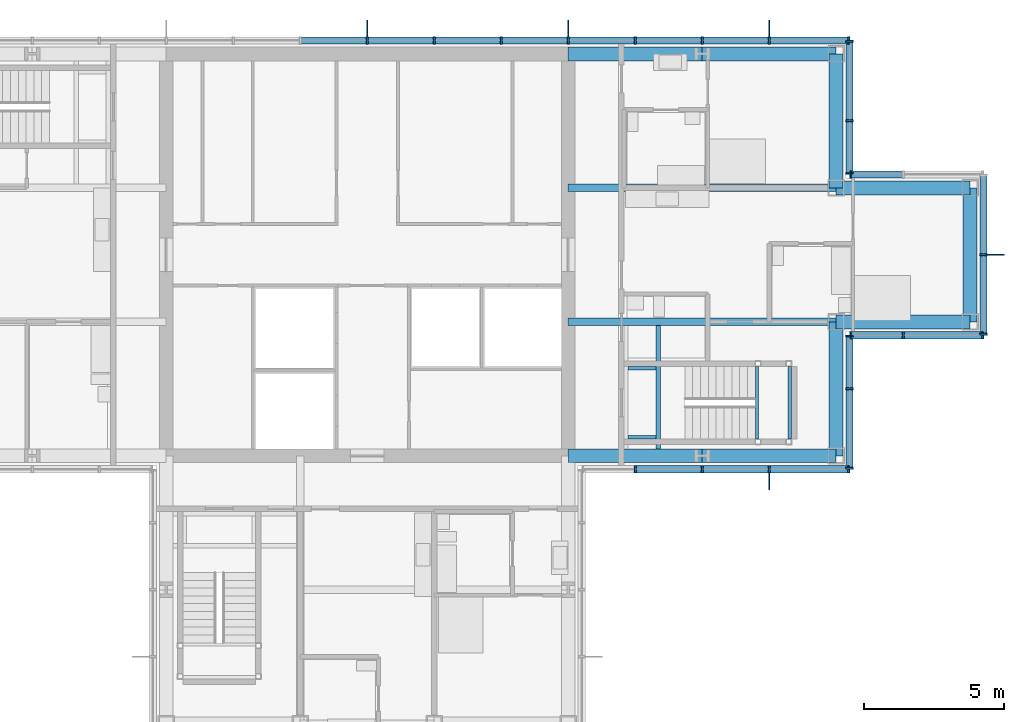
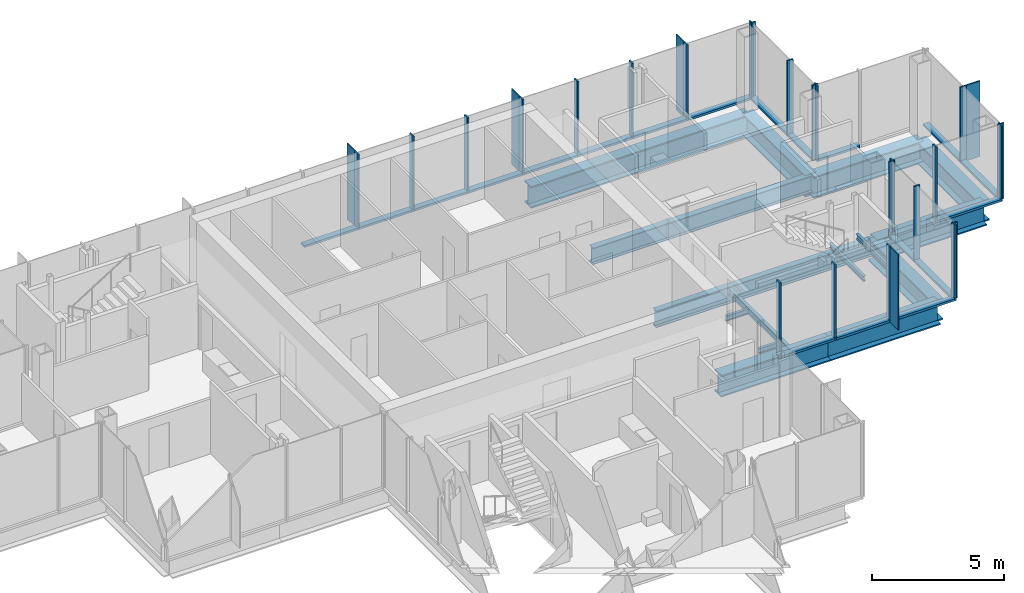
# One storey, part 7 of 15: 49 members, 16 beams, 7 elements without a shape of their own.
"""IFC4 building model written with IfcOpenShell, lengths in metres."""

from ifc_helpers import new_model, si_unit, direction, frame, origin, origin_2d, place, context, subcontext, project, spatial, rectangle, i_section, extrude, material, material_profile, profile_set, type_object, element, aggregate, save


model = new_model("IFC4")

# Units and contexts
model_context = context("Model", 3, precision=1e-05, world=origin(), true_north=direction((0.0, 1.0)))
body_context = subcontext(model_context, "Body", "Model", "MODEL_VIEW")
ifc_project = project(units=[si_unit("LENGTHUNIT", "METRE"), si_unit("AREAUNIT", "SQUARE_METRE"), si_unit("VOLUMEUNIT", "CUBIC_METRE"), si_unit("PLANEANGLEUNIT", "RADIAN"), si_unit("MASSUNIT", "GRAM", prefix="KILO")], contexts=[model_context])

# Site, building, storey
site_placement = place(None, origin())
site = spatial("IfcSite", under=ifc_project, at=site_placement, CompositionType="ELEMENT")
building_placement = place(site_placement, origin())
building = spatial("IfcBuilding", under=site, at=building_placement, Name="Kvirike Care Tower", CompositionType="ELEMENT")
storey_placement = place(building_placement, frame((0.0, 0.0, 219.0)))
storey = spatial("IfcBuildingStorey", under=building, at=storey_placement, Name="L60", CompositionType="ELEMENT", Elevation=219.0)

# Curtain wall, member
ifc_material_1 = material(Name="Anodised aluminium stick system", Category="aluminium")
curtain_wall_type = type_object("IfcCurtainWallType", Name="CW-D STICK CURTAIN WALL", PredefinedType="NOTDEFINED", material=ifc_material_1)
curtain_wall_1_placement = place(storey_placement, origin())
curtain_wall_1 = element("IfcCurtainWall", 1, at=curtain_wall_1_placement, inside=storey, type_object=curtain_wall_type, Name="Curtain wall L60 face 1", PredefinedType="NOTDEFINED")
ifc_material_2 = material(Name="Bronze anodised aluminium fin", Category="aluminium")
ifc_material_profile_1 = material_profile(ifc_material_2, rectangle(XDim=0.050048828125, YDim=0.60009765625, at=origin_2d()), Name="BRONZE FIN 600")
ifc_profile_set_1 = profile_set([ifc_material_profile_1], Name="Bronze anodised aluminium fin")
member_type_1 = type_object("IfcMemberType", Name="BRONZE FIN 600", PredefinedType="USERDEFINED", material=ifc_profile_set_1)
member_1_placement = place(storey_placement, frame((36.0, 27.889892578125, 0.0), z_axis=(0.0, 0.0, 1.0), x_axis=(1.0, 0.0, 0.0)))
member_1 = element("IfcMember", 2, at=member_1_placement, type_object=member_type_1, Name="Bronze fin L60 face 1.4", ObjectType="FIN", PredefinedType="USERDEFINED", context=body_context, shape_type="SweptSolid", body=[
    extrude(rectangle(XDim=0.050048828125, YDim=0.60009765625, at=origin_2d()), origin(), (0.0, 0.0, 1.0), 3.5),
])

curtain_wall_2_placement = place(storey_placement, origin())
curtain_wall_2 = element("IfcCurtainWall", 3, at=curtain_wall_2_placement, inside=storey, type_object=curtain_wall_type, Name="Curtain wall L60 face 4", PredefinedType="NOTDEFINED")
member_2_placement = place(storey_placement, frame((44.110107421875, 36.0, 0.0), z_axis=(0.0, 0.0, 1.0), x_axis=(0.0, 1.0, 0.0)))
member_2 = element("IfcMember", 4, at=member_2_placement, type_object=member_type_1, Name="Bronze fin L60 face 4.2", ObjectType="FIN", PredefinedType="USERDEFINED", context=body_context, shape_type="SweptSolid", body=[
    extrude(rectangle(XDim=0.050048828125, YDim=0.60009765625, at=origin_2d()), origin(), (0.0, 0.0, 1.0), 3.5),
])

# Curtain wall, members
curtain_wall_3_placement = place(storey_placement, origin())
curtain_wall_3 = element("IfcCurtainWall", 5, at=curtain_wall_3_placement, inside=storey, type_object=curtain_wall_type, Name="Curtain wall L60 face 7", PredefinedType="NOTDEFINED")
member_3_placement = place(storey_placement, frame((36.0, 44.110107421875, 0.0), z_axis=(0.0, 0.0, 1.0), x_axis=(-1.0, 0.0, 0.0)))
member_3 = element("IfcMember", 6, at=member_3_placement, type_object=member_type_1, Name="Bronze fin L60 face 7.2", ObjectType="FIN", PredefinedType="USERDEFINED", context=body_context, shape_type="SweptSolid", body=[
    extrude(rectangle(XDim=0.050048828125, YDim=0.60009765625, at=origin_2d()), origin(), (0.0, 0.0, 1.0), 3.5),
])
member_4_placement = place(storey_placement, frame((28.800048828125, 44.110107421875, 0.0), z_axis=(0.0, 0.0, 1.0), x_axis=(-1.0, 0.0, 0.0)))
member_4 = element("IfcMember", 7, at=member_4_placement, type_object=member_type_1, Name="Bronze fin L60 face 7.5", ObjectType="FIN", PredefinedType="USERDEFINED", context=body_context, shape_type="SweptSolid", body=[
    extrude(rectangle(XDim=0.050048828125, YDim=0.60009765625, at=origin_2d()), origin(), (0.0, 0.0, 1.0), 3.5),
])
member_5_placement = place(storey_placement, frame((21.60009765625, 44.110107421875, 0.0), z_axis=(0.0, 0.0, 1.0), x_axis=(-1.0, 0.0, 0.0)))
member_5 = element("IfcMember", 8, at=member_5_placement, type_object=member_type_1, Name="Bronze fin L60 face 7.8", ObjectType="FIN", PredefinedType="USERDEFINED", context=body_context, shape_type="SweptSolid", body=[
    extrude(rectangle(XDim=0.050048828125, YDim=0.60009765625, at=origin_2d()), origin(), (0.0, 0.0, 1.0), 3.5),
])

# Member
ifc_material_3 = material(Name="Bronze anodised aluminium mullion", Category="aluminium")
ifc_material_profile_2 = material_profile(ifc_material_3, rectangle(XDim=0.06494140625, YDim=0.260009765625, at=origin_2d()), Name="CW-D MULLION 65x260")
ifc_profile_set_2 = profile_set([ifc_material_profile_2], Name="Bronze anodised aluminium mullion")
member_type_2 = type_object("IfcMemberType", Name="CW-D MULLION 65x260", PredefinedType="MULLION", material=ifc_profile_set_2)
member_6_placement = place(storey_placement, frame((31.199951171875, 28.320068359375, 0.0), z_axis=(0.0, 0.0, 1.0), x_axis=(1.0, 0.0, 0.0)))
member_6 = element("IfcMember", 9, at=member_6_placement, type_object=member_type_2, Name="CW-D mullion L60 face 1.2", PredefinedType="MULLION", context=body_context, shape_type="SweptSolid", body=[
    extrude(rectangle(XDim=0.06494140625, YDim=0.260009765625, at=origin_2d()), origin(), (0.0, 0.0, 1.0), 3.5),
])

member_7_placement = place(storey_placement, frame((33.60009765625, 28.320068359375, 0.0), z_axis=(0.0, 0.0, 1.0), x_axis=(1.0, 0.0, 0.0)))
member_7 = element("IfcMember", 10, at=member_7_placement, type_object=member_type_2, Name="CW-D mullion L60 face 1.3", PredefinedType="MULLION", context=body_context, shape_type="SweptSolid", body=[
    extrude(rectangle(XDim=0.06494140625, YDim=0.260009765625, at=origin_2d()), origin(), (0.0, 0.0, 1.0), 3.5),
])

member_8_placement = place(storey_placement, frame((36.0, 28.320068359375, 0.0), z_axis=(0.0, 0.0, 1.0), x_axis=(1.0, 0.0, 0.0)))
member_8 = element("IfcMember", 11, at=member_8_placement, type_object=member_type_2, Name="CW-D mullion L60 face 1.4", PredefinedType="MULLION", context=body_context, shape_type="SweptSolid", body=[
    extrude(rectangle(XDim=0.06494140625, YDim=0.260009765625, at=origin_2d()), origin(), (0.0, 0.0, 1.0), 3.5),
])

member_9_placement = place(storey_placement, frame((38.847412109375, 28.320068359375, 0.0), z_axis=(0.0, 0.0, 1.0), x_axis=(1.0, 0.0, 0.0)))
member_9 = element("IfcMember", 12, at=member_9_placement, type_object=member_type_2, Name="CW-D mullion L60 face 1.5", PredefinedType="MULLION", context=body_context, shape_type="SweptSolid", body=[
    extrude(rectangle(XDim=0.06494140625, YDim=0.260009765625, at=origin_2d()), origin(), (0.0, 0.0, 1.0), 3.5),
])

# Curtain wall, members
curtain_wall_4_placement = place(storey_placement, origin())
curtain_wall_4 = element("IfcCurtainWall", 13, at=curtain_wall_4_placement, inside=storey, type_object=curtain_wall_type, Name="Curtain wall L60 face 2", PredefinedType="NOTDEFINED")
member_10_placement = place(storey_placement, frame((38.8798828125, 28.3525390625, 0.0), z_axis=(0.0, 0.0, 1.0), x_axis=(0.0, 1.0, 0.0)))
member_10 = element("IfcMember", 14, at=member_10_placement, type_object=member_type_2, Name="CW-D mullion L60 face 2.1", PredefinedType="MULLION", context=body_context, shape_type="SweptSolid", body=[
    extrude(rectangle(XDim=0.06494140625, YDim=0.260009765625, at=origin_2d()), origin(), (0.0, 0.0, 1.0), 3.5),
])
member_11_placement = place(storey_placement, frame((38.8798828125, 31.199951171875, 0.0), z_axis=(0.0, 0.0, 1.0), x_axis=(0.0, 1.0, 0.0)))
member_11 = element("IfcMember", 15, at=member_11_placement, type_object=member_type_2, Name="CW-D mullion L60 face 2.2", PredefinedType="MULLION", context=body_context, shape_type="SweptSolid", body=[
    extrude(rectangle(XDim=0.06494140625, YDim=0.260009765625, at=origin_2d()), origin(), (0.0, 0.0, 1.0), 3.5),
])
member_12_placement = place(storey_placement, frame((38.8798828125, 33.08740234375, 0.0), z_axis=(0.0, 0.0, 1.0), x_axis=(0.0, 1.0, 0.0)))
member_12 = element("IfcMember", 16, at=member_12_placement, type_object=member_type_2, Name="CW-D mullion L60 face 2.3", PredefinedType="MULLION", context=body_context, shape_type="SweptSolid", body=[
    extrude(rectangle(XDim=0.06494140625, YDim=0.260009765625, at=origin_2d()), origin(), (0.0, 0.0, 1.0), 3.5),
])

curtain_wall_5_placement = place(storey_placement, origin())
curtain_wall_5 = element("IfcCurtainWall", 17, at=curtain_wall_5_placement, inside=storey, type_object=curtain_wall_type, Name="Curtain wall L60 face 3", PredefinedType="NOTDEFINED")
member_13_placement = place(storey_placement, frame((38.91259765625, 33.1201171875, 0.0), z_axis=(0.0, 0.0, 1.0), x_axis=(1.0, 0.0, 0.0)))
member_13 = element("IfcMember", 18, at=member_13_placement, type_object=member_type_2, Name="CW-D mullion L60 face 3.1", PredefinedType="MULLION", context=body_context, shape_type="SweptSolid", body=[
    extrude(rectangle(XDim=0.06494140625, YDim=0.260009765625, at=origin_2d()), origin(), (0.0, 0.0, 1.0), 3.5),
])
member_14_placement = place(storey_placement, frame((40.800048828125, 33.1201171875, 0.0), z_axis=(0.0, 0.0, 1.0), x_axis=(1.0, 0.0, 0.0)))
member_14 = element("IfcMember", 19, at=member_14_placement, type_object=member_type_2, Name="CW-D mullion L60 face 3.2", PredefinedType="MULLION", context=body_context, shape_type="SweptSolid", body=[
    extrude(rectangle(XDim=0.06494140625, YDim=0.260009765625, at=origin_2d()), origin(), (0.0, 0.0, 1.0), 3.5),
])
member_15_placement = place(storey_placement, frame((43.6474609375, 33.1201171875, 0.0), z_axis=(0.0, 0.0, 1.0), x_axis=(1.0, 0.0, 0.0)))
member_15 = element("IfcMember", 20, at=member_15_placement, type_object=member_type_2, Name="CW-D mullion L60 face 3.3", PredefinedType="MULLION", context=body_context, shape_type="SweptSolid", body=[
    extrude(rectangle(XDim=0.06494140625, YDim=0.260009765625, at=origin_2d()), origin(), (0.0, 0.0, 1.0), 3.5),
])

# Member
member_16_placement = place(storey_placement, frame((43.679931640625, 33.152587890625, 0.0), z_axis=(0.0, 0.0, 1.0), x_axis=(0.0, 1.0, 0.0)))
member_16 = element("IfcMember", 21, at=member_16_placement, type_object=member_type_2, Name="CW-D mullion L60 face 4.1", PredefinedType="MULLION", context=body_context, shape_type="SweptSolid", body=[
    extrude(rectangle(XDim=0.06494140625, YDim=0.260009765625, at=origin_2d()), origin(), (0.0, 0.0, 1.0), 3.5),
])

member_17_placement = place(storey_placement, frame((43.679931640625, 36.0, 0.0), z_axis=(0.0, 0.0, 1.0), x_axis=(0.0, 1.0, 0.0)))
member_17 = element("IfcMember", 22, at=member_17_placement, type_object=member_type_2, Name="CW-D mullion L60 face 4.2", PredefinedType="MULLION", context=body_context, shape_type="SweptSolid", body=[
    extrude(rectangle(XDim=0.06494140625, YDim=0.260009765625, at=origin_2d()), origin(), (0.0, 0.0, 1.0), 3.5),
])

# Curtain wall, member
curtain_wall_6_placement = place(storey_placement, origin())
curtain_wall_6 = element("IfcCurtainWall", 23, at=curtain_wall_6_placement, inside=storey, type_object=curtain_wall_type, Name="Curtain wall L60 face 5", PredefinedType="NOTDEFINED")
member_18_placement = place(storey_placement, frame((38.91259765625, 38.8798828125, 0.0), z_axis=(0.0, 0.0, 1.0), x_axis=(-1.0, 0.0, 0.0)))
member_18 = element("IfcMember", 24, at=member_18_placement, type_object=member_type_2, Name="CW-D mullion L60 face 5.3", PredefinedType="MULLION", context=body_context, shape_type="SweptSolid", body=[
    extrude(rectangle(XDim=0.06494140625, YDim=0.260009765625, at=origin_2d()), origin(), (0.0, 0.0, 1.0), 3.5),
])

# Curtain wall, members
curtain_wall_7_placement = place(storey_placement, origin())
curtain_wall_7 = element("IfcCurtainWall", 25, at=curtain_wall_7_placement, inside=storey, type_object=curtain_wall_type, Name="Curtain wall L60 face 6", PredefinedType="NOTDEFINED")
member_19_placement = place(storey_placement, frame((38.8798828125, 38.91259765625, 0.0), z_axis=(0.0, 0.0, 1.0), x_axis=(0.0, 1.0, 0.0)))
member_19 = element("IfcMember", 26, at=member_19_placement, type_object=member_type_2, Name="CW-D mullion L60 face 6.1", PredefinedType="MULLION", context=body_context, shape_type="SweptSolid", body=[
    extrude(rectangle(XDim=0.06494140625, YDim=0.260009765625, at=origin_2d()), origin(), (0.0, 0.0, 1.0), 3.5),
])
member_20_placement = place(storey_placement, frame((38.8798828125, 40.800048828125, 0.0), z_axis=(0.0, 0.0, 1.0), x_axis=(0.0, 1.0, 0.0)))
member_20 = element("IfcMember", 27, at=member_20_placement, type_object=member_type_2, Name="CW-D mullion L60 face 6.2", PredefinedType="MULLION", context=body_context, shape_type="SweptSolid", body=[
    extrude(rectangle(XDim=0.06494140625, YDim=0.260009765625, at=origin_2d()), origin(), (0.0, 0.0, 1.0), 3.5),
])
member_21_placement = place(storey_placement, frame((38.8798828125, 43.6474609375, 0.0), z_axis=(0.0, 0.0, 1.0), x_axis=(0.0, 1.0, 0.0)))
member_21 = element("IfcMember", 28, at=member_21_placement, type_object=member_type_2, Name="CW-D mullion L60 face 6.3", PredefinedType="MULLION", context=body_context, shape_type="SweptSolid", body=[
    extrude(rectangle(XDim=0.06494140625, YDim=0.260009765625, at=origin_2d()), origin(), (0.0, 0.0, 1.0), 3.5),
])

# Member
member_22_placement = place(storey_placement, frame((38.847412109375, 43.679931640625, 0.0), z_axis=(0.0, 0.0, 1.0), x_axis=(-1.0, 0.0, 0.0)))
member_22 = element("IfcMember", 29, at=member_22_placement, type_object=member_type_2, Name="CW-D mullion L60 face 7.1", PredefinedType="MULLION", context=body_context, shape_type="SweptSolid", body=[
    extrude(rectangle(XDim=0.06494140625, YDim=0.260009765625, at=origin_2d()), origin(), (0.0, 0.0, 1.0), 3.5),
])

member_23_placement = place(storey_placement, frame((36.0, 43.679931640625, 0.0), z_axis=(0.0, 0.0, 1.0), x_axis=(-1.0, 0.0, 0.0)))
member_23 = element("IfcMember", 30, at=member_23_placement, type_object=member_type_2, Name="CW-D mullion L60 face 7.2", PredefinedType="MULLION", context=body_context, shape_type="SweptSolid", body=[
    extrude(rectangle(XDim=0.06494140625, YDim=0.260009765625, at=origin_2d()), origin(), (0.0, 0.0, 1.0), 3.5),
])

member_24_placement = place(storey_placement, frame((33.60009765625, 43.679931640625, 0.0), z_axis=(0.0, 0.0, 1.0), x_axis=(-1.0, 0.0, 0.0)))
member_24 = element("IfcMember", 31, at=member_24_placement, type_object=member_type_2, Name="CW-D mullion L60 face 7.3", PredefinedType="MULLION", context=body_context, shape_type="SweptSolid", body=[
    extrude(rectangle(XDim=0.06494140625, YDim=0.260009765625, at=origin_2d()), origin(), (0.0, 0.0, 1.0), 3.5),
])

member_25_placement = place(storey_placement, frame((31.199951171875, 43.679931640625, 0.0), z_axis=(0.0, 0.0, 1.0), x_axis=(-1.0, 0.0, 0.0)))
member_25 = element("IfcMember", 32, at=member_25_placement, type_object=member_type_2, Name="CW-D mullion L60 face 7.4", PredefinedType="MULLION", context=body_context, shape_type="SweptSolid", body=[
    extrude(rectangle(XDim=0.06494140625, YDim=0.260009765625, at=origin_2d()), origin(), (0.0, 0.0, 1.0), 3.5),
])

member_26_placement = place(storey_placement, frame((28.800048828125, 43.679931640625, 0.0), z_axis=(0.0, 0.0, 1.0), x_axis=(-1.0, 0.0, 0.0)))
member_26 = element("IfcMember", 33, at=member_26_placement, type_object=member_type_2, Name="CW-D mullion L60 face 7.5", PredefinedType="MULLION", context=body_context, shape_type="SweptSolid", body=[
    extrude(rectangle(XDim=0.06494140625, YDim=0.260009765625, at=origin_2d()), origin(), (0.0, 0.0, 1.0), 3.5),
])

member_27_placement = place(storey_placement, frame((26.39990234375, 43.679931640625, 0.0), z_axis=(0.0, 0.0, 1.0), x_axis=(-1.0, 0.0, 0.0)))
member_27 = element("IfcMember", 34, at=member_27_placement, type_object=member_type_2, Name="CW-D mullion L60 face 7.6", PredefinedType="MULLION", context=body_context, shape_type="SweptSolid", body=[
    extrude(rectangle(XDim=0.06494140625, YDim=0.260009765625, at=origin_2d()), origin(), (0.0, 0.0, 1.0), 3.5),
])

member_28_placement = place(storey_placement, frame((24.0, 43.679931640625, 0.0), z_axis=(0.0, 0.0, 1.0), x_axis=(-1.0, 0.0, 0.0)))
member_28 = element("IfcMember", 35, at=member_28_placement, type_object=member_type_2, Name="CW-D mullion L60 face 7.7", PredefinedType="MULLION", context=body_context, shape_type="SweptSolid", body=[
    extrude(rectangle(XDim=0.06494140625, YDim=0.260009765625, at=origin_2d()), origin(), (0.0, 0.0, 1.0), 3.5),
])

member_29_placement = place(storey_placement, frame((21.60009765625, 43.679931640625, 0.0), z_axis=(0.0, 0.0, 1.0), x_axis=(-1.0, 0.0, 0.0)))
member_29 = element("IfcMember", 36, at=member_29_placement, type_object=member_type_2, Name="CW-D mullion L60 face 7.8", PredefinedType="MULLION", context=body_context, shape_type="SweptSolid", body=[
    extrude(rectangle(XDim=0.06494140625, YDim=0.260009765625, at=origin_2d()), origin(), (0.0, 0.0, 1.0), 3.5),
])

ifc_material_4 = material(Name="Bronze anodised aluminium transom", Category="aluminium")
ifc_material_profile_3 = material_profile(ifc_material_4, rectangle(XDim=0.260009765625, YDim=0.10009765625, at=origin_2d()), Name="CW-D TRANSOM 260x100")
ifc_profile_set_3 = profile_set([ifc_material_profile_3], Name="Bronze anodised aluminium transom")
member_type_3 = type_object("IfcMemberType", Name="CW-D TRANSOM 260x100", PredefinedType="USERDEFINED", material=ifc_profile_set_3)
member_30_placement = place(storey_placement, frame((31.232421875, 28.320068359375, 0.050048828125), z_axis=(1.0, 0.0, 0.0), x_axis=(0.0, 1.0, 0.0)))
member_30 = element("IfcMember", 37, at=member_30_placement, type_object=member_type_3, Name="CW-D sill transom L60 face 1.2", ObjectType="TRANSOM", PredefinedType="USERDEFINED", context=body_context, shape_type="SweptSolid", body=[
    extrude(rectangle(XDim=0.260009765625, YDim=0.10009765625, at=origin_2d()), origin(), (0.0, 0.0, 1.0), 2.3349609375),
])

member_31_placement = place(storey_placement, frame((33.632568359375, 28.320068359375, 0.050048828125), z_axis=(1.0, 0.0, 0.0), x_axis=(0.0, 1.0, 0.0)))
member_31 = element("IfcMember", 38, at=member_31_placement, type_object=member_type_3, Name="CW-D sill transom L60 face 1.3", ObjectType="TRANSOM", PredefinedType="USERDEFINED", context=body_context, shape_type="SweptSolid", body=[
    extrude(rectangle(XDim=0.260009765625, YDim=0.10009765625, at=origin_2d()), origin(), (0.0, 0.0, 1.0), 2.3349609375),
])

member_32_placement = place(storey_placement, frame((36.032470703125, 28.320068359375, 0.050048828125), z_axis=(1.0, 0.0, 0.0), x_axis=(0.0, 1.0, 0.0)))
member_32 = element("IfcMember", 39, at=member_32_placement, type_object=member_type_3, Name="CW-D sill transom L60 face 1.4", ObjectType="TRANSOM", PredefinedType="USERDEFINED", context=body_context, shape_type="SweptSolid", body=[
    extrude(rectangle(XDim=0.260009765625, YDim=0.10009765625, at=origin_2d()), origin(), (0.0, 0.0, 1.0), 2.782470703125),
])

aggregate(curtain_wall_1, [member_6, member_7, member_8, member_1, member_9, member_30, member_31, member_32])

member_33_placement = place(storey_placement, frame((38.8798828125, 28.385009765625, 0.050048828125), z_axis=(0.0, 1.0, 0.0), x_axis=(-1.0, 0.0, 0.0)))
member_33 = element("IfcMember", 40, at=member_33_placement, type_object=member_type_3, Name="CW-D sill transom L60 face 2.1", ObjectType="TRANSOM", PredefinedType="USERDEFINED", context=body_context, shape_type="SweptSolid", body=[
    extrude(rectangle(XDim=0.260009765625, YDim=0.10009765625, at=origin_2d()), origin(), (0.0, 0.0, 1.0), 2.782470703125),
])

member_34_placement = place(storey_placement, frame((38.8798828125, 31.232421875, 0.050048828125), z_axis=(0.0, 1.0, 0.0), x_axis=(-1.0, 0.0, 0.0)))
member_34 = element("IfcMember", 41, at=member_34_placement, type_object=member_type_3, Name="CW-D sill transom L60 face 2.2", ObjectType="TRANSOM", PredefinedType="USERDEFINED", context=body_context, shape_type="SweptSolid", body=[
    extrude(rectangle(XDim=0.260009765625, YDim=0.10009765625, at=origin_2d()), origin(), (0.0, 0.0, 1.0), 1.822509765625),
])

aggregate(curtain_wall_4, [member_10, member_11, member_12, member_33, member_34])

member_35_placement = place(storey_placement, frame((38.945068359375, 33.1201171875, 0.050048828125), z_axis=(1.0, 0.0, 0.0), x_axis=(0.0, 1.0, 0.0)))
member_35 = element("IfcMember", 42, at=member_35_placement, type_object=member_type_3, Name="CW-D sill transom L60 face 3.1", ObjectType="TRANSOM", PredefinedType="USERDEFINED", context=body_context, shape_type="SweptSolid", body=[
    extrude(rectangle(XDim=0.260009765625, YDim=0.10009765625, at=origin_2d()), origin(), (0.0, 0.0, 1.0), 1.822509765625),
])

member_36_placement = place(storey_placement, frame((40.83251953125, 33.1201171875, 0.050048828125), z_axis=(1.0, 0.0, 0.0), x_axis=(0.0, 1.0, 0.0)))
member_36 = element("IfcMember", 43, at=member_36_placement, type_object=member_type_3, Name="CW-D sill transom L60 face 3.2", ObjectType="TRANSOM", PredefinedType="USERDEFINED", context=body_context, shape_type="SweptSolid", body=[
    extrude(rectangle(XDim=0.260009765625, YDim=0.10009765625, at=origin_2d()), origin(), (0.0, 0.0, 1.0), 2.782470703125),
])

aggregate(curtain_wall_5, [member_13, member_14, member_15, member_35, member_36])

member_37_placement = place(storey_placement, frame((43.679931640625, 33.18505859375, 0.050048828125), z_axis=(0.0, 1.0, 0.0), x_axis=(-1.0, 0.0, 0.0)))
member_37 = element("IfcMember", 44, at=member_37_placement, type_object=member_type_3, Name="CW-D sill transom L60 face 4.1", ObjectType="TRANSOM", PredefinedType="USERDEFINED", context=body_context, shape_type="SweptSolid", body=[
    extrude(rectangle(XDim=0.260009765625, YDim=0.10009765625, at=origin_2d()), origin(), (0.0, 0.0, 1.0), 2.782470703125),
])

member_38_placement = place(storey_placement, frame((43.679931640625, 36.032470703125, 0.050048828125), z_axis=(0.0, 1.0, 0.0), x_axis=(-1.0, 0.0, 0.0)))
member_38 = element("IfcMember", 45, at=member_38_placement, type_object=member_type_3, Name="CW-D sill transom L60 face 4.2", ObjectType="TRANSOM", PredefinedType="USERDEFINED", context=body_context, shape_type="SweptSolid", body=[
    extrude(rectangle(XDim=0.260009765625, YDim=0.10009765625, at=origin_2d()), origin(), (0.0, 0.0, 1.0), 2.782470703125),
])

aggregate(curtain_wall_2, [member_16, member_17, member_2, member_37, member_38])

member_39_placement = place(storey_placement, frame((40.767578125, 38.8798828125, 0.050048828125), z_axis=(-1.0, 0.0, 0.0), x_axis=(0.0, -1.0, 0.0)))
member_39 = element("IfcMember", 46, at=member_39_placement, type_object=member_type_3, Name="CW-D sill transom L60 face 5.2", ObjectType="TRANSOM", PredefinedType="USERDEFINED", context=body_context, shape_type="SweptSolid", body=[
    extrude(rectangle(XDim=0.260009765625, YDim=0.10009765625, at=origin_2d()), origin(), (0.0, 0.0, 1.0), 1.822509765625),
])

aggregate(curtain_wall_6, [member_18, member_39])

member_40_placement = place(storey_placement, frame((38.8798828125, 38.945068359375, 0.050048828125), z_axis=(0.0, 1.0, 0.0), x_axis=(-1.0, 0.0, 0.0)))
member_40 = element("IfcMember", 47, at=member_40_placement, type_object=member_type_3, Name="CW-D sill transom L60 face 6.1", ObjectType="TRANSOM", PredefinedType="USERDEFINED", context=body_context, shape_type="SweptSolid", body=[
    extrude(rectangle(XDim=0.260009765625, YDim=0.10009765625, at=origin_2d()), origin(), (0.0, 0.0, 1.0), 1.822509765625),
])

member_41_placement = place(storey_placement, frame((38.8798828125, 40.83251953125, 0.050048828125), z_axis=(0.0, 1.0, 0.0), x_axis=(-1.0, 0.0, 0.0)))
member_41 = element("IfcMember", 48, at=member_41_placement, type_object=member_type_3, Name="CW-D sill transom L60 face 6.2", ObjectType="TRANSOM", PredefinedType="USERDEFINED", context=body_context, shape_type="SweptSolid", body=[
    extrude(rectangle(XDim=0.260009765625, YDim=0.10009765625, at=origin_2d()), origin(), (0.0, 0.0, 1.0), 2.782470703125),
])

aggregate(curtain_wall_7, [member_19, member_20, member_21, member_40, member_41])

member_42_placement = place(storey_placement, frame((38.81494140625, 43.679931640625, 0.050048828125), z_axis=(-1.0, 0.0, 0.0), x_axis=(0.0, -1.0, 0.0)))
member_42 = element("IfcMember", 49, at=member_42_placement, type_object=member_type_3, Name="CW-D sill transom L60 face 7.1", ObjectType="TRANSOM", PredefinedType="USERDEFINED", context=body_context, shape_type="SweptSolid", body=[
    extrude(rectangle(XDim=0.260009765625, YDim=0.10009765625, at=origin_2d()), origin(), (0.0, 0.0, 1.0), 2.782470703125),
])

member_43_placement = place(storey_placement, frame((35.967529296875, 43.679931640625, 0.050048828125), z_axis=(-1.0, 0.0, 0.0), x_axis=(0.0, -1.0, 0.0)))
member_43 = element("IfcMember", 50, at=member_43_placement, type_object=member_type_3, Name="CW-D sill transom L60 face 7.2", ObjectType="TRANSOM", PredefinedType="USERDEFINED", context=body_context, shape_type="SweptSolid", body=[
    extrude(rectangle(XDim=0.260009765625, YDim=0.10009765625, at=origin_2d()), origin(), (0.0, 0.0, 1.0), 2.3349609375),
])

member_44_placement = place(storey_placement, frame((33.5673828125, 43.679931640625, 0.050048828125), z_axis=(-1.0, 0.0, 0.0), x_axis=(0.0, -1.0, 0.0)))
member_44 = element("IfcMember", 51, at=member_44_placement, type_object=member_type_3, Name="CW-D sill transom L60 face 7.3", ObjectType="TRANSOM", PredefinedType="USERDEFINED", context=body_context, shape_type="SweptSolid", body=[
    extrude(rectangle(XDim=0.260009765625, YDim=0.10009765625, at=origin_2d()), origin(), (0.0, 0.0, 1.0), 2.3349609375),
])

member_45_placement = place(storey_placement, frame((31.16748046875, 43.679931640625, 0.050048828125), z_axis=(-1.0, 0.0, 0.0), x_axis=(0.0, -1.0, 0.0)))
member_45 = element("IfcMember", 52, at=member_45_placement, type_object=member_type_3, Name="CW-D sill transom L60 face 7.4", ObjectType="TRANSOM", PredefinedType="USERDEFINED", context=body_context, shape_type="SweptSolid", body=[
    extrude(rectangle(XDim=0.260009765625, YDim=0.10009765625, at=origin_2d()), origin(), (0.0, 0.0, 1.0), 2.3349609375),
])

member_46_placement = place(storey_placement, frame((28.767578125, 43.679931640625, 0.050048828125), z_axis=(-1.0, 0.0, 0.0), x_axis=(0.0, -1.0, 0.0)))
member_46 = element("IfcMember", 53, at=member_46_placement, type_object=member_type_3, Name="CW-D sill transom L60 face 7.5", ObjectType="TRANSOM", PredefinedType="USERDEFINED", context=body_context, shape_type="SweptSolid", body=[
    extrude(rectangle(XDim=0.260009765625, YDim=0.10009765625, at=origin_2d()), origin(), (0.0, 0.0, 1.0), 2.3349609375),
])

member_47_placement = place(storey_placement, frame((26.367431640625, 43.679931640625, 0.050048828125), z_axis=(-1.0, 0.0, 0.0), x_axis=(0.0, -1.0, 0.0)))
member_47 = element("IfcMember", 54, at=member_47_placement, type_object=member_type_3, Name="CW-D sill transom L60 face 7.6", ObjectType="TRANSOM", PredefinedType="USERDEFINED", context=body_context, shape_type="SweptSolid", body=[
    extrude(rectangle(XDim=0.260009765625, YDim=0.10009765625, at=origin_2d()), origin(), (0.0, 0.0, 1.0), 2.3349609375),
])

member_48_placement = place(storey_placement, frame((23.967529296875, 43.679931640625, 0.050048828125), z_axis=(-1.0, 0.0, 0.0), x_axis=(0.0, -1.0, 0.0)))
member_48 = element("IfcMember", 55, at=member_48_placement, type_object=member_type_3, Name="CW-D sill transom L60 face 7.7", ObjectType="TRANSOM", PredefinedType="USERDEFINED", context=body_context, shape_type="SweptSolid", body=[
    extrude(rectangle(XDim=0.260009765625, YDim=0.10009765625, at=origin_2d()), origin(), (0.0, 0.0, 1.0), 2.3349609375),
])

member_49_placement = place(storey_placement, frame((21.5673828125, 43.679931640625, 0.050048828125), z_axis=(-1.0, 0.0, 0.0), x_axis=(0.0, -1.0, 0.0)))
member_49 = element("IfcMember", 56, at=member_49_placement, type_object=member_type_3, Name="CW-D sill transom L60 face 7.8", ObjectType="TRANSOM", PredefinedType="USERDEFINED", context=body_context, shape_type="SweptSolid", body=[
    extrude(rectangle(XDim=0.260009765625, YDim=0.10009765625, at=origin_2d()), origin(), (0.0, 0.0, 1.0), 2.3349609375),
])

aggregate(curtain_wall_3, [member_22, member_23, member_3, member_24, member_25, member_26, member_4, member_27, member_28, member_29, member_5, member_42, member_43, member_44, member_45, member_46, member_47, member_48, member_49])

# Beams
ifc_material_5 = material(Name="Steel S355", Category="steel")
ifc_material_profile_4 = material_profile(ifc_material_5, i_section(OverallWidth=0.26806640625, OverallDepth=0.77001953125, WebThickness=0.015625, FlangeThickness=0.025390625, FilletRadius=0.01708984375, at=origin_2d()), Name="IPE 750x196")
ifc_profile_set_4 = profile_set([ifc_material_profile_4], Name="Steel S355")
beam_type_1 = type_object("IfcBeamType", Name="FLOOR BEAM IPE 750x196", PredefinedType="BEAM", material=ifc_profile_set_4)
for number, where, z_axis, x_axis, name in (
    (57, (28.800048828125, 33.60009765625, -0.554931640625), (1.0, 0.0, 0.0), (0.0, 1.0, 0.0), "Floor Beam H9-H11 L60"),
    (58, (28.800048828125, 38.39990234375, -0.554931640625), (1.0, 0.0, 0.0), (0.0, 1.0, 0.0), "Floor Beam J9-J11 L60"),
):
    element("IfcBeam", number, at=place(storey_placement, frame(where, z_axis=z_axis, x_axis=x_axis)), inside=storey, type_object=beam_type_1, Name=name, PredefinedType="BEAM", context=body_context, shape_type="SweptSolid", body=[
        extrude(i_section(OverallWidth=0.26806640625, OverallDepth=0.77001953125, WebThickness=0.015625, FlangeThickness=0.025390625, FilletRadius=0.01708984375, at=origin_2d()), origin(), (0.0, 0.0, 1.0), 9.599853515625),
    ])
ifc_material_6 = material(Name="Steel S355", Category="steel")
ifc_material_profile_5 = material_profile(ifc_material_6, i_section(OverallWidth=0.5, OverallDepth=1.0, WebThickness=0.030029296875, FlangeThickness=0.06005859375, at=origin_2d()), Name="PG 1000x500x30x60")
ifc_profile_set_5 = profile_set([ifc_material_profile_5], Name="Steel S355")
beam_type_2 = type_object("IfcBeamType", Name="SPANDREL PG 1000x500x30x60", PredefinedType="SPANDREL", material=ifc_profile_set_5)
beam_1_placement = place(storey_placement, frame((28.800048828125, 28.800048828125, -0.669921875), z_axis=(1.0, 0.0, 0.0), x_axis=(0.0, 1.0, 0.0)))
element("IfcBeam", 59, at=beam_1_placement, inside=storey, type_object=beam_type_2, Name="Spandrel G9-G10 L60", PredefinedType="SPANDREL", context=body_context, shape_type="SweptSolid", body=[
    extrude(i_section(OverallWidth=0.5, OverallDepth=1.0, WebThickness=0.030029296875, FlangeThickness=0.06005859375, at=origin_2d()), origin(), (0.0, 0.0, 1.0), 4.800048828125),
])
beam_2_placement = place(storey_placement, frame((33.60009765625, 28.800048828125, -0.669921875), z_axis=(1.0, 0.0, 0.0), x_axis=(0.0, 1.0, 0.0)))
element("IfcBeam", 60, at=beam_2_placement, inside=storey, type_object=beam_type_2, Name="Spandrel G10-G11 L60", PredefinedType="SPANDREL", context=body_context, shape_type="SweptSolid", body=[
    extrude(i_section(OverallWidth=0.5, OverallDepth=1.0, WebThickness=0.030029296875, FlangeThickness=0.06005859375, at=origin_2d()), origin(), (0.0, 0.0, 1.0), 4.7998046875),
])
for number, where, z_axis, x_axis, name in (
    (61, (38.39990234375, 33.60009765625, -0.669921875), (1.0, 0.0, 0.0), (0.0, 1.0, 0.0), "Spandrel H11-H12 L60"),
    (62, (38.39990234375, 38.39990234375, -0.669921875), (1.0, 0.0, 0.0), (0.0, 1.0, 0.0), "Spandrel J11-J12 L60"),
    (63, (28.800048828125, 43.199951171875, -0.669921875), (1.0, 0.0, 0.0), (0.0, 1.0, 0.0), "Spandrel K9-K10 L60"),
):
    element("IfcBeam", number, at=place(storey_placement, frame(where, z_axis=z_axis, x_axis=x_axis)), inside=storey, type_object=beam_type_2, Name=name, PredefinedType="SPANDREL", context=body_context, shape_type="SweptSolid", body=[
        extrude(i_section(OverallWidth=0.5, OverallDepth=1.0, WebThickness=0.030029296875, FlangeThickness=0.06005859375, at=origin_2d()), origin(), (0.0, 0.0, 1.0), 4.800048828125),
    ])
beam_3_placement = place(storey_placement, frame((33.60009765625, 43.199951171875, -0.669921875), z_axis=(1.0, 0.0, 0.0), x_axis=(0.0, 1.0, 0.0)))
element("IfcBeam", 64, at=beam_3_placement, inside=storey, type_object=beam_type_2, Name="Spandrel K10-K11 L60", PredefinedType="SPANDREL", context=body_context, shape_type="SweptSolid", body=[
    extrude(i_section(OverallWidth=0.5, OverallDepth=1.0, WebThickness=0.030029296875, FlangeThickness=0.06005859375, at=origin_2d()), origin(), (0.0, 0.0, 1.0), 4.7998046875),
])
for number, where, z_axis, x_axis, name in (
    (65, (38.39990234375, 28.800048828125, -0.669921875), (0.0, 1.0, 0.0), (-1.0, 0.0, 0.0), "Spandrel G11-H11 L60"),
    (66, (38.39990234375, 38.39990234375, -0.669921875), (0.0, 1.0, 0.0), (-1.0, 0.0, 0.0), "Spandrel J11-K11 L60"),
):
    element("IfcBeam", number, at=place(storey_placement, frame(where, z_axis=z_axis, x_axis=x_axis)), inside=storey, type_object=beam_type_2, Name=name, PredefinedType="SPANDREL", context=body_context, shape_type="SweptSolid", body=[
        extrude(i_section(OverallWidth=0.5, OverallDepth=1.0, WebThickness=0.030029296875, FlangeThickness=0.06005859375, at=origin_2d()), origin(), (0.0, 0.0, 1.0), 4.800048828125),
    ])
beam_4_placement = place(storey_placement, frame((43.199951171875, 33.60009765625, -0.669921875), z_axis=(0.0, 1.0, 0.0), x_axis=(-1.0, 0.0, 0.0)))
element("IfcBeam", 67, at=beam_4_placement, inside=storey, type_object=beam_type_2, Name="Spandrel H12-J12 L60", PredefinedType="SPANDREL", context=body_context, shape_type="SweptSolid", body=[
    extrude(i_section(OverallWidth=0.5, OverallDepth=1.0, WebThickness=0.030029296875, FlangeThickness=0.06005859375, at=origin_2d()), origin(), (0.0, 0.0, 1.0), 4.7998046875),
])
ifc_material_7 = material(Name="Steel S355", Category="steel")
ifc_material_profile_6 = material_profile(ifc_material_7, i_section(OverallWidth=0.1201171875, OverallDepth=0.239990234375, WebThickness=0.006103515625, FlangeThickness=0.009765625, FilletRadius=0.014892578125, at=origin_2d()), Name="IPE 240")
ifc_profile_set_6 = profile_set([ifc_material_profile_6], Name="Steel S355")
beam_type_3 = type_object("IfcBeamType", Name="STAIR LANDING BEAM IPE 240", PredefinedType="BEAM", material=ifc_profile_set_6)
for number, where, z_axis, x_axis, name in (
    (68, (36.739990234375, 29.39990234375, 1.429931640625), (0.0, 1.0, 0.0), (-1.0, 0.0, 0.0), "Stair 2 landing beam back L60"),
    (69, (35.56005859375, 29.39990234375, 1.429931640625), (0.0, 1.0, 0.0), (-1.0, 0.0, 0.0), "Stair 2 landing beam front L60"),
):
    element("IfcBeam", number, at=place(storey_placement, frame(where, z_axis=z_axis, x_axis=x_axis)), inside=storey, type_object=beam_type_3, Name=name, PredefinedType="BEAM", context=body_context, shape_type="SweptSolid", body=[
        extrude(i_section(OverallWidth=0.1201171875, OverallDepth=0.239990234375, WebThickness=0.006103515625, FlangeThickness=0.009765625, FilletRadius=0.014892578125, at=origin_2d()), origin(), (0.0, 0.0, 1.0), 2.60009765625),
    ])
for number, where, z_axis, x_axis, name in (
    (70, (31.949951171875, 29.4599609375, -0.320068359375), (-1.0, 0.0, 0.0), (0.0, -1.0, 0.0), "Stair 2 landing edge beam 1 L60"),
    (71, (31.949951171875, 31.93994140625, -0.320068359375), (-1.0, 0.0, 0.0), (0.0, -1.0, 0.0), "Stair 2 landing edge beam 2 L60"),
):
    element("IfcBeam", number, at=place(storey_placement, frame(where, z_axis=z_axis, x_axis=x_axis)), inside=storey, type_object=beam_type_3, Name=name, PredefinedType="BEAM", context=body_context, shape_type="SweptSolid", body=[
        extrude(i_section(OverallWidth=0.1201171875, OverallDepth=0.239990234375, WebThickness=0.006103515625, FlangeThickness=0.009765625, FilletRadius=0.014892578125, at=origin_2d()), origin(), (0.0, 0.0, 1.0), 1.0),
    ])
ifc_material_8 = material(Name="Steel S355", Category="steel")
ifc_material_profile_7 = material_profile(ifc_material_8, i_section(OverallWidth=0.14990234375, OverallDepth=0.300048828125, WebThickness=0.007080078125, FlangeThickness=0.0107421875, FilletRadius=0.014892578125, at=origin_2d()), Name="IPE 300")
ifc_profile_set_7 = profile_set([ifc_material_profile_7], Name="Steel S355")
beam_type_4 = type_object("IfcBeamType", Name="STAIR TRIMMER IPE 300", PredefinedType="BEAM", material=ifc_profile_set_7)
beam_5_placement = place(storey_placement, frame((32.02490234375, 29.050048828125, -0.35009765625), z_axis=(0.0, 1.0, 0.0), x_axis=(-1.0, 0.0, 0.0)))
element("IfcBeam", 72, at=beam_5_placement, inside=storey, type_object=beam_type_4, Name="Stair 2 trimmer 1 L60", PredefinedType="BEAM", context=body_context, shape_type="SweptSolid", body=[
    extrude(i_section(OverallWidth=0.14990234375, OverallDepth=0.300048828125, WebThickness=0.007080078125, FlangeThickness=0.0107421875, FilletRadius=0.014892578125, at=origin_2d()), origin(), (0.0, 0.0, 1.0), 4.416015625),
])

save(model, "model.ifc")
